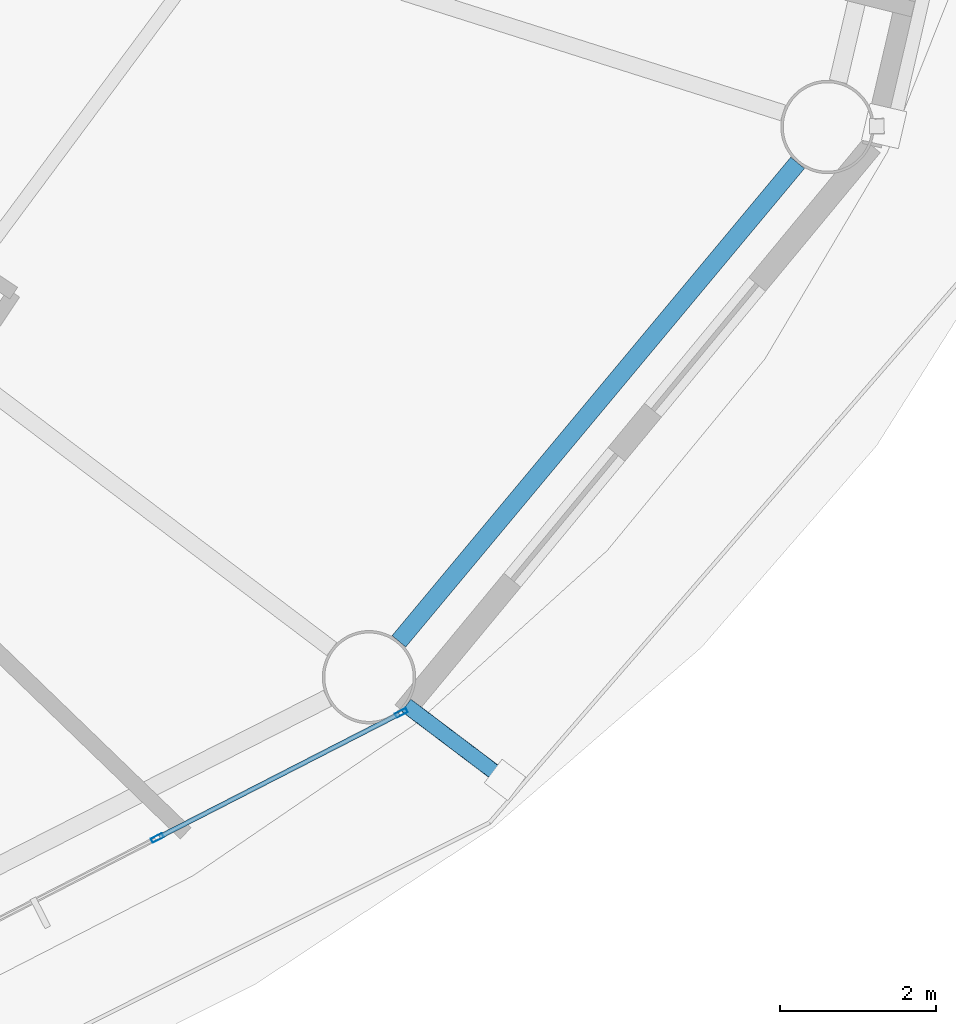
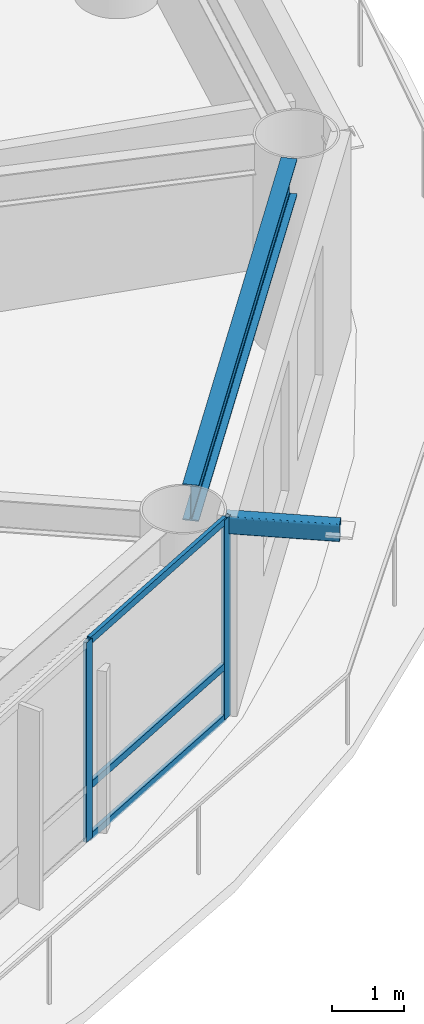
# One storey, part 6 of 24: 6 members, 1 beam, 1 element without a shape of its own.
"""IFC4 building model written with IfcOpenShell, lengths in metres."""

from ifc_helpers import new_model, si_unit, direction, frame, origin, origin_2d, place, context, subcontext, project, spatial, hollow_rectangle, i_section, extrude, material, layer, layer_set, material_profile, profile_set, type_object, element, aggregate, save


model = new_model("IFC4")

# Units and contexts
model_context = context("Model", 3, precision=1e-05, world=origin(), true_north=direction((0.0, 1.0)))
body_context = subcontext(model_context, "Body", "Model", "MODEL_VIEW")
ifc_project = project(units=[si_unit("LENGTHUNIT", "METRE"), si_unit("AREAUNIT", "SQUARE_METRE"), si_unit("VOLUMEUNIT", "CUBIC_METRE"), si_unit("PLANEANGLEUNIT", "RADIAN"), si_unit("MASSUNIT", "GRAM", prefix="KILO")], contexts=[model_context])

# Site, building, storey
site_placement = place(None, origin())
site = spatial("IfcSite", under=ifc_project, at=site_placement, CompositionType="ELEMENT")
building_placement = place(site_placement, origin())
building = spatial("IfcBuilding", under=site, at=building_placement, Name="Sarneth Arch Tower", CompositionType="ELEMENT")
storey_placement = place(building_placement, frame((0.0, 0.0, 102.0)))
storey = spatial("IfcBuildingStorey", under=building, at=storey_placement, Name="L25", CompositionType="ELEMENT", Elevation=102.0)

# Beam
ifc_material_1 = material(Name="Steel S355", Category="steel")
ifc_material_profile_1 = material_profile(ifc_material_1, i_section(OverallWidth=0.22900390625, OverallDepth=0.612060546875, WebThickness=0.011962890625, FlangeThickness=0.01953125, FilletRadius=0.01904296875, at=origin_2d()), Name="W610x125")
ifc_profile_set_1 = profile_set([ifc_material_profile_1], Name="Steel S355")
beam_type = type_object("IfcBeamType", Name="BM-SPAN-610C", PredefinedType="SPANDREL", material=ifc_profile_set_1)
beam_placement = place(storey_placement, frame((68.78173828125, 27.0458984375, 3.073974609375), z_axis=(0.640163403463, 0.768238775946, 0.0), x_axis=(-0.768238775946, 0.640163403463, 0.0)))
element("IfcBeam", 1, at=beam_placement, inside=storey, type_object=beam_type, Name="L25 Perimeter spandrel beam 15", PredefinedType="SPANDREL", context=body_context, shape_type="SweptSolid", body=[
    extrude(i_section(OverallWidth=0.22900390625, OverallDepth=0.612060546875, WebThickness=0.011962890625, FlangeThickness=0.01953125, FilletRadius=0.01904296875, at=origin_2d()), origin(), (0.0, 0.0, 1.0), 8.006103515625),
])

# Curtain wall, members
ifc_material_2 = material(Name="Anodised aluminium Type AA25 and solar-control low-e laminated IGU", Category="aluminium")
ifc_layer = layer(ifc_material_2, 0.159912109375)
ifc_layer_set = layer_set([ifc_layer], Name="Anodised aluminium Type AA25 and solar-control low-e laminated IGU")
curtain_wall_type = type_object("IfcCurtainWallType", Name="CW-HOTEL-MID", PredefinedType="NOTDEFINED", material=ifc_layer_set)
curtain_wall_placement = place(storey_placement, origin())
curtain_wall = element("IfcCurtainWall", 2, at=curtain_wall_placement, inside=storey, type_object=curtain_wall_type, Name="L25 Unitised curtain wall facet 14", PredefinedType="NOTDEFINED")
ifc_material_3 = material(Name="Anodised Aluminium 6063-T6", Category="aluminium")
ifc_material_profile_2 = material_profile(ifc_material_3, hollow_rectangle(XDim=0.06005859375, YDim=0.159912109375, WallThickness=0.00390625, at=origin_2d()), Name="AL-MULL-160x60x4")
ifc_profile_set_2 = profile_set([ifc_material_profile_2], Name="Anodised Aluminium 6063-T6")
member_type_1 = type_object("IfcMemberType", Name="CW-MULLION", PredefinedType="MULLION", material=ifc_profile_set_2)
member_1_placement = place(storey_placement, frame((65.677001953125, 24.518798828125, 0.0), z_axis=(0.0, 0.0, 1.0), x_axis=(-0.456031365356, 0.889963703649, 0.0)))
member_1 = element("IfcMember", 3, at=member_1_placement, type_object=member_type_1, Name="CW-SYS-4 mullion 3", PredefinedType="MULLION", context=body_context, shape_type="SweptSolid", body=[
    extrude(hollow_rectangle(XDim=0.06005859375, YDim=0.159912109375, WallThickness=0.00390625, at=origin_2d()), origin(), (0.0, 0.0, 1.0), 3.3798828125),
])
member_2_placement = place(storey_placement, frame((68.813232421875, 26.1259765625, 0.0), z_axis=(0.0, 0.0, 1.0), x_axis=(-0.456031365356, 0.889963703649, 0.0)))
member_2 = element("IfcMember", 4, at=member_2_placement, type_object=member_type_1, Name="CW-SYS-4 mullion 4", PredefinedType="MULLION", context=body_context, shape_type="SweptSolid", body=[
    extrude(hollow_rectangle(XDim=0.06005859375, YDim=0.159912109375, WallThickness=0.00390625, at=origin_2d()), origin(), (0.0, 0.0, 1.0), 3.3798828125),
])
ifc_material_4 = material(Name="Anodised Aluminium 6063-T6", Category="aluminium")
ifc_material_profile_3 = material_profile(ifc_material_4, hollow_rectangle(XDim=0.06005859375, YDim=0.1201171875, WallThickness=0.00390625, at=origin_2d()), Name="AL-TRAN-120x60x4")
ifc_profile_set_3 = profile_set([ifc_material_profile_3], Name="Anodised Aluminium 6063-T6")
member_type_2 = type_object("IfcMemberType", Name="CW-TRANSOM", PredefinedType="USERDEFINED", material=ifc_profile_set_3)
member_3_placement = place(storey_placement, frame((65.703857421875, 24.532470703125, 0.030029296875), z_axis=(0.889942905184, 0.456071952122, 0.0), x_axis=(-0.456071952122, 0.889942905184, 0.0)))
member_3 = element("IfcMember", 5, at=member_3_placement, type_object=member_type_2, Name="CW-SYS-4 transom 3.1", ObjectType="TRANSOM", PredefinedType="USERDEFINED", context=body_context, shape_type="SweptSolid", body=[
    extrude(hollow_rectangle(XDim=0.06005859375, YDim=0.1201171875, WallThickness=0.00390625, at=origin_2d()), origin(), (0.0, 0.0, 1.0), 3.464111328125),
])
member_4_placement = place(storey_placement, frame((65.703857421875, 24.532470703125, 0.89990234375), z_axis=(0.889942905184, 0.456071952122, 0.0), x_axis=(-0.456071952122, 0.889942905184, 0.0)))
member_4 = element("IfcMember", 6, at=member_4_placement, type_object=member_type_2, Name="CW-SYS-4 transom 3.2", ObjectType="TRANSOM", PredefinedType="USERDEFINED", context=body_context, shape_type="SweptSolid", body=[
    extrude(hollow_rectangle(XDim=0.06005859375, YDim=0.1201171875, WallThickness=0.00390625, at=origin_2d()), origin(), (0.0, 0.0, 1.0), 3.464111328125),
])
member_5_placement = place(storey_placement, frame((65.703857421875, 24.532470703125, 3.35009765625), z_axis=(0.889942905184, 0.456071952122, 0.0), x_axis=(-0.456071952122, 0.889942905184, 0.0)))
member_5 = element("IfcMember", 7, at=member_5_placement, type_object=member_type_2, Name="CW-SYS-4 transom 3.3", ObjectType="TRANSOM", PredefinedType="USERDEFINED", context=body_context, shape_type="SweptSolid", body=[
    extrude(hollow_rectangle(XDim=0.06005859375, YDim=0.1201171875, WallThickness=0.00390625, at=origin_2d()), origin(), (0.0, 0.0, 1.0), 3.464111328125),
])
aggregate(curtain_wall, [member_1, member_2, member_3, member_4, member_5])

# Member
ifc_material_5 = material(Name="Steel S355", Category="steel")
ifc_material_profile_4 = material_profile(ifc_material_5, hollow_rectangle(XDim=0.199951171875, YDim=0.300048828125, WallThickness=0.012451171875, InnerFilletRadius=0.018798828125, OuterFilletRadius=0.03125, at=origin_2d()), Name="RHS300x200x12.5")
ifc_profile_set_4 = profile_set([ifc_material_profile_4], Name="Steel S355")
member_type_3 = type_object("IfcMemberType", Name="MEM-CANT-STRUT", PredefinedType="STRUT", material=ifc_profile_set_4)
member_6_placement = place(storey_placement, frame((68.876220703125, 26.223388671875, 3.219970703125), z_axis=(0.797859123957, -0.602843941928, 0.0), x_axis=(0.602843941928, 0.797859123957, 0.0)))
element("IfcMember", 8, at=member_6_placement, inside=storey, type_object=member_type_3, Name="L25 Balcony cantilever bracket 15", PredefinedType="STRUT", context=body_context, shape_type="SweptSolid", body=[
    extrude(hollow_rectangle(XDim=0.199951171875, YDim=0.300048828125, WallThickness=0.012451171875, InnerFilletRadius=0.018798828125, OuterFilletRadius=0.03125, at=origin_2d()), origin(), (0.0, 0.0, 1.0), 1.591064453125),
])

save(model, "model.ifc")
